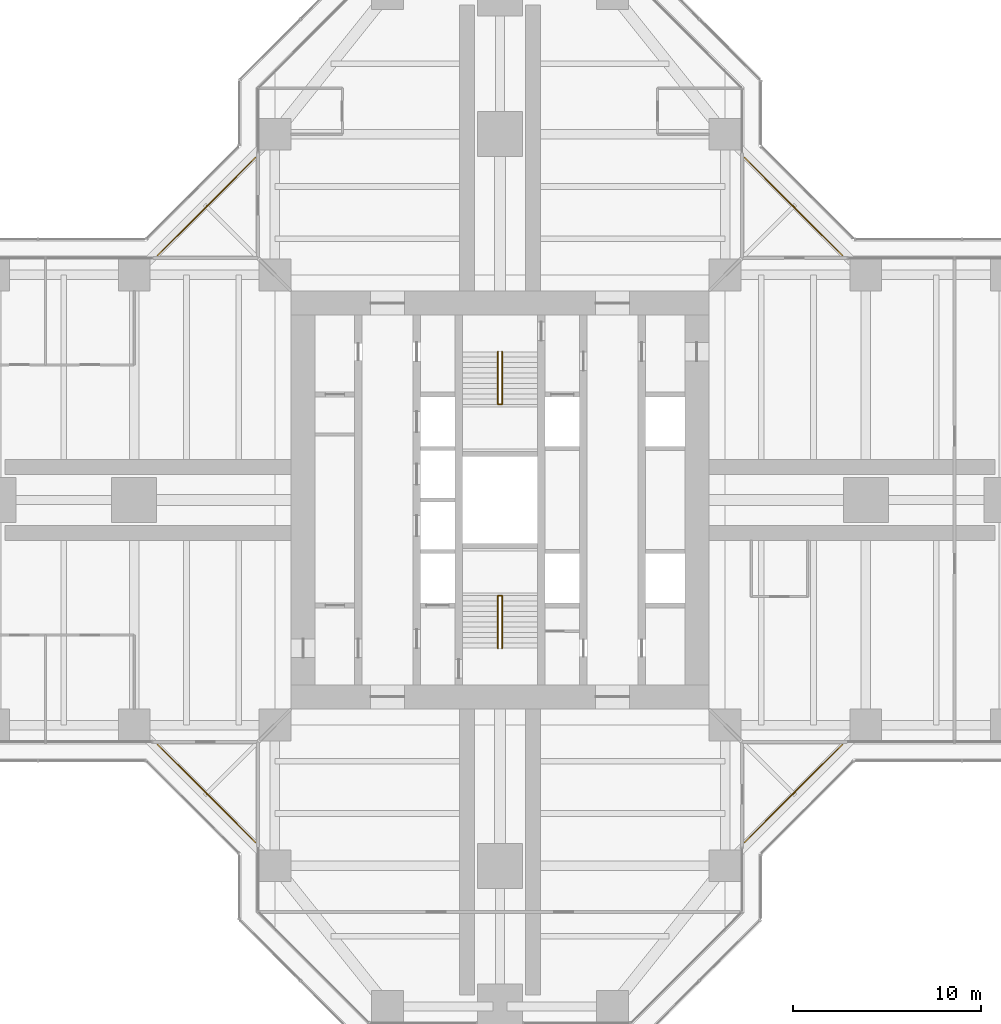
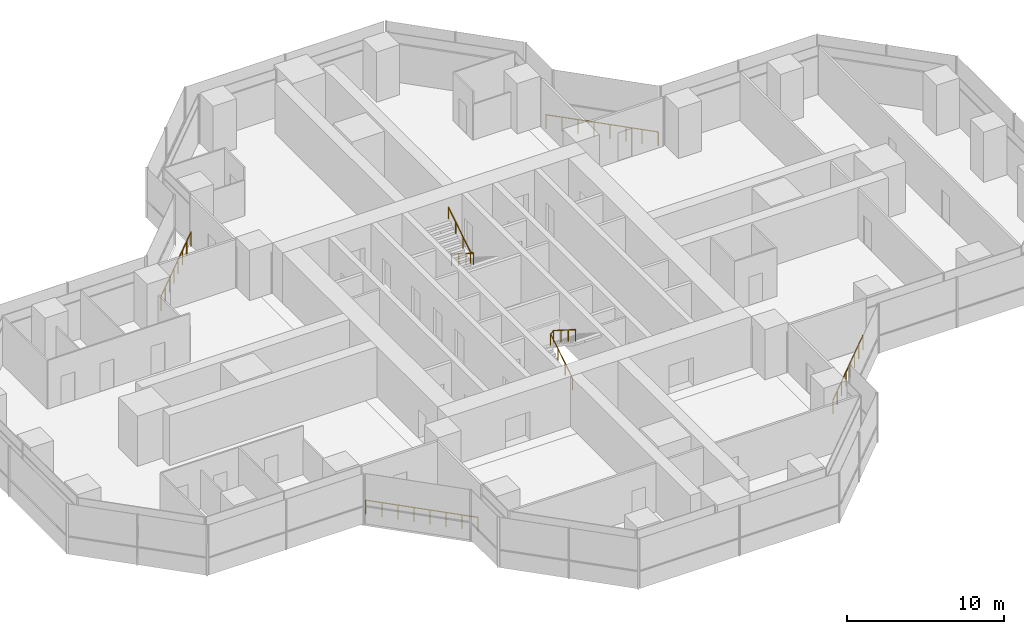
# One storey, part 20 of 20: 6 railings.
"""IFC4 building model written with IfcOpenShell, lengths in metres."""

from ifc_helpers import new_model, si_unit, direction, frame, origin, origin_2d, place, context, subcontext, project, spatial, circle, extrude, material, type_object, element, save


model = new_model("IFC4")

# Units and contexts
model_context = context("Model", 3, precision=1e-05, world=origin(), true_north=direction((0.0, 1.0)))
body_context = subcontext(model_context, "Body", "Model", "MODEL_VIEW")
ifc_project = project(units=[si_unit("LENGTHUNIT", "METRE"), si_unit("AREAUNIT", "SQUARE_METRE"), si_unit("VOLUMEUNIT", "CUBIC_METRE"), si_unit("PLANEANGLEUNIT", "RADIAN"), si_unit("MASSUNIT", "GRAM", prefix="KILO")], contexts=[model_context])

# Site, building, storey
site_placement = place(None, origin())
site = spatial("IfcSite", under=ifc_project, at=site_placement, CompositionType="ELEMENT")
building_placement = place(site_placement, origin())
building = spatial("IfcBuilding", under=site, at=building_placement, Name="Mizan Broadcast Tower", CompositionType="ELEMENT")
storey_placement = place(building_placement, frame((0.0, 0.0, 174.89990234375)))
storey = spatial("IfcBuildingStorey", under=building, at=storey_placement, Name="L40", CompositionType="ELEMENT", Elevation=174.89990234375)

# Railings
ifc_material_1 = material(Name="Stainless steel and glass guard", Category="steel")
railing_type_1 = type_object("IfcRailingType", Name="GUARD 1100", PredefinedType="GUARDRAIL", material=ifc_material_1)
railing_1_placement = place(storey_placement, frame((18.2578125, 13.030029296875, 0.0)))
element("IfcRailing", 1, at=railing_1_placement, inside=storey, type_object=railing_type_1, Name="Winter garden guard L40 E", PredefinedType="GUARDRAIL", context=body_context, shape_type="SweptSolid", body=[
    extrude(circle(Radius=0.02392578125, at=origin_2d()), frame((0.0, 0.0, 1.076171875), z_axis=(-0.707106781187, 0.707106781187, 0.0), x_axis=(-0.707106781187, -0.707106781187, 0.0)), (0.0, 0.0, 1.0), 7.393310546875),
    extrude(circle(Radius=0.02099609375, at=origin_2d()), origin(), (0.0, 0.0, 1.0), 1.052001953125),
    extrude(circle(Radius=0.02099609375, at=origin_2d()), frame((-0.746826171875, 0.746826171875, 0.0)), (0.0, 0.0, 1.0), 1.052001953125),
    extrude(circle(Radius=0.02099609375, at=origin_2d()), frame((-1.49365234375, 1.49365234375, 0.0)), (0.0, 0.0, 1.0), 1.052001953125),
    extrude(circle(Radius=0.02099609375, at=origin_2d()), frame((-2.240478515625, 2.240478515625, 0.0)), (0.0, 0.0, 1.0), 1.052001953125),
    extrude(circle(Radius=0.02099609375, at=origin_2d()), frame((-2.9873046875, 2.9873046875, 0.0)), (0.0, 0.0, 1.0), 1.052001953125),
    extrude(circle(Radius=0.02099609375, at=origin_2d()), frame((-3.734130859375, 3.734130859375, 0.0)), (0.0, 0.0, 1.0), 1.052001953125),
    extrude(circle(Radius=0.02099609375, at=origin_2d()), frame((-4.48095703125, 4.48095703125, 0.0)), (0.0, 0.0, 1.0), 1.052001953125),
    extrude(circle(Radius=0.02099609375, at=origin_2d()), frame((-5.227783203125, 5.227783203125, 0.0)), (0.0, 0.0, 1.0), 1.052001953125),
])
railing_2_placement = place(storey_placement, frame((-13.030029296875, 18.2578125, 0.0)))
element("IfcRailing", 2, at=railing_2_placement, inside=storey, type_object=railing_type_1, Name="Winter garden guard L40 N", PredefinedType="GUARDRAIL", context=body_context, shape_type="SweptSolid", body=[
    extrude(circle(Radius=0.02392578125, at=origin_2d()), frame((0.0, 0.0, 1.076171875), z_axis=(-0.707106781187, -0.707106781187, 0.0), x_axis=(0.707106781187, -0.707106781187, 0.0)), (0.0, 0.0, 1.0), 7.393310546875),
    extrude(circle(Radius=0.02099609375, at=origin_2d()), origin(), (0.0, 0.0, 1.0), 1.052001953125),
    extrude(circle(Radius=0.02099609375, at=origin_2d()), frame((-0.746826171875, -0.746826171875, 0.0)), (0.0, 0.0, 1.0), 1.052001953125),
    extrude(circle(Radius=0.02099609375, at=origin_2d()), frame((-1.49365234375, -1.49365234375, 0.0)), (0.0, 0.0, 1.0), 1.052001953125),
    extrude(circle(Radius=0.02099609375, at=origin_2d()), frame((-2.240478515625, -2.240478515625, 0.0)), (0.0, 0.0, 1.0), 1.052001953125),
    extrude(circle(Radius=0.02099609375, at=origin_2d()), frame((-2.9873046875, -2.9873046875, 0.0)), (0.0, 0.0, 1.0), 1.052001953125),
    extrude(circle(Radius=0.02099609375, at=origin_2d()), frame((-3.734130859375, -3.734130859375, 0.0)), (0.0, 0.0, 1.0), 1.052001953125),
    extrude(circle(Radius=0.02099609375, at=origin_2d()), frame((-4.48095703125, -4.48095703125, 0.0)), (0.0, 0.0, 1.0), 1.052001953125),
    extrude(circle(Radius=0.02099609375, at=origin_2d()), frame((-5.227783203125, -5.227783203125, 0.0)), (0.0, 0.0, 1.0), 1.052001953125),
])
railing_3_placement = place(storey_placement, frame((-18.2578125, -13.030029296875, 0.0)))
element("IfcRailing", 3, at=railing_3_placement, inside=storey, type_object=railing_type_1, Name="Winter garden guard L40 W", PredefinedType="GUARDRAIL", context=body_context, shape_type="SweptSolid", body=[
    extrude(circle(Radius=0.02392578125, at=origin_2d()), frame((0.0, 0.0, 1.076171875), z_axis=(0.707106781187, -0.707106781187, 0.0), x_axis=(0.707106781187, 0.707106781187, 0.0)), (0.0, 0.0, 1.0), 7.393310546875),
    extrude(circle(Radius=0.02099609375, at=origin_2d()), origin(), (0.0, 0.0, 1.0), 1.052001953125),
    extrude(circle(Radius=0.02099609375, at=origin_2d()), frame((0.746826171875, -0.746826171875, 0.0)), (0.0, 0.0, 1.0), 1.052001953125),
    extrude(circle(Radius=0.02099609375, at=origin_2d()), frame((1.49365234375, -1.49365234375, 0.0)), (0.0, 0.0, 1.0), 1.052001953125),
    extrude(circle(Radius=0.02099609375, at=origin_2d()), frame((2.240478515625, -2.240478515625, 0.0)), (0.0, 0.0, 1.0), 1.052001953125),
    extrude(circle(Radius=0.02099609375, at=origin_2d()), frame((2.9873046875, -2.9873046875, 0.0)), (0.0, 0.0, 1.0), 1.052001953125),
    extrude(circle(Radius=0.02099609375, at=origin_2d()), frame((3.734130859375, -3.734130859375, 0.0)), (0.0, 0.0, 1.0), 1.052001953125),
    extrude(circle(Radius=0.02099609375, at=origin_2d()), frame((4.48095703125, -4.48095703125, 0.0)), (0.0, 0.0, 1.0), 1.052001953125),
    extrude(circle(Radius=0.02099609375, at=origin_2d()), frame((5.227783203125, -5.227783203125, 0.0)), (0.0, 0.0, 1.0), 1.052001953125),
])
railing_4_placement = place(storey_placement, frame((13.030029296875, -18.2578125, 0.0)))
element("IfcRailing", 4, at=railing_4_placement, inside=storey, type_object=railing_type_1, Name="Winter garden guard L40 S", PredefinedType="GUARDRAIL", context=body_context, shape_type="SweptSolid", body=[
    extrude(circle(Radius=0.02392578125, at=origin_2d()), frame((0.0, 0.0, 1.076171875), z_axis=(0.707106781187, 0.707106781187, 0.0), x_axis=(-0.707106781187, 0.707106781187, 0.0)), (0.0, 0.0, 1.0), 7.393310546875),
    extrude(circle(Radius=0.02099609375, at=origin_2d()), origin(), (0.0, 0.0, 1.0), 1.052001953125),
    extrude(circle(Radius=0.02099609375, at=origin_2d()), frame((0.746826171875, 0.746826171875, 0.0)), (0.0, 0.0, 1.0), 1.052001953125),
    extrude(circle(Radius=0.02099609375, at=origin_2d()), frame((1.49365234375, 1.49365234375, 0.0)), (0.0, 0.0, 1.0), 1.052001953125),
    extrude(circle(Radius=0.02099609375, at=origin_2d()), frame((2.240478515625, 2.240478515625, 0.0)), (0.0, 0.0, 1.0), 1.052001953125),
    extrude(circle(Radius=0.02099609375, at=origin_2d()), frame((2.9873046875, 2.9873046875, 0.0)), (0.0, 0.0, 1.0), 1.052001953125),
    extrude(circle(Radius=0.02099609375, at=origin_2d()), frame((3.734130859375, 3.734130859375, 0.0)), (0.0, 0.0, 1.0), 1.052001953125),
    extrude(circle(Radius=0.02099609375, at=origin_2d()), frame((4.48095703125, 4.48095703125, 0.0)), (0.0, 0.0, 1.0), 1.052001953125),
    extrude(circle(Radius=0.02099609375, at=origin_2d()), frame((5.227783203125, 5.227783203125, 0.0)), (0.0, 0.0, 1.0), 1.052001953125),
])
ifc_material_2 = material(Name="Stainless steel", Category="steel")
railing_type_2 = type_object("IfcRailingType", Name="HANDRAIL 50", PredefinedType="HANDRAIL", material=ifc_material_2)
railing_5_placement = place(storey_placement, frame((-0.110107421875, -7.89990234375, 0.177490234375)))
element("IfcRailing", 5, at=railing_5_placement, inside=storey, type_object=railing_type_2, Name="Stair A handrail", PredefinedType="HANDRAIL", context=body_context, shape_type="SweptSolid", body=[
    extrude(circle(Radius=0.02392578125, at=origin_2d()), frame((0.0, 0.0, 0.8759765625), z_axis=(0.0, 0.844887892834, 0.53494340686), x_axis=(-1.0, 0.0, 0.0)), (0.0, 0.0, 1.0), 3.313720703125),
    extrude(circle(Radius=0.02392578125, at=origin_2d()), frame((0.0, 2.7998046875, 2.6484375), z_axis=(0.779011685263, 0.0, 0.627009405212), x_axis=(0.0, 1.0, 0.0)), (0.0, 0.0, 1.0), 0.28271484375),
    extrude(circle(Radius=0.02392578125, at=origin_2d()), frame((0.22021484375, 2.7998046875, 2.82568359375), z_axis=(0.0, -0.844887892834, 0.53494340686), x_axis=(1.0, 0.0, 0.0)), (0.0, 0.0, 1.0), 3.313720703125),
    extrude(circle(Radius=0.02099609375, at=origin_2d()), origin(), (0.0, 0.0, 1.0), 0.851806640625),
    extrude(circle(Radius=0.02099609375, at=origin_2d()), frame((0.0, 0.933349609375, 0.5908203125)), (0.0, 0.0, 1.0), 0.851806640625),
    extrude(circle(Radius=0.02099609375, at=origin_2d()), frame((0.0, 1.866455078125, 1.181884765625)), (0.0, 0.0, 1.0), 0.851806640625),
    extrude(circle(Radius=0.02099609375, at=origin_2d()), frame((0.0, 2.7998046875, 1.772705078125)), (0.0, 0.0, 1.0), 0.851806640625),
    extrude(circle(Radius=0.02099609375, at=origin_2d()), frame((0.22021484375, 2.7998046875, 1.949951171875)), (0.0, 0.0, 1.0), 0.851806640625),
    extrude(circle(Radius=0.02099609375, at=origin_2d()), frame((0.22021484375, 1.866455078125, 2.540771484375)), (0.0, 0.0, 1.0), 0.851806640625),
    extrude(circle(Radius=0.02099609375, at=origin_2d()), frame((0.22021484375, 0.933349609375, 3.1318359375)), (0.0, 0.0, 1.0), 0.851806640625),
    extrude(circle(Radius=0.02099609375, at=origin_2d()), frame((0.22021484375, 0.0, 3.72265625)), (0.0, 0.0, 1.0), 0.851806640625),
])
railing_6_placement = place(storey_placement, frame((0.110107421875, 7.89990234375, 0.177490234375)))
element("IfcRailing", 6, at=railing_6_placement, inside=storey, type_object=railing_type_2, Name="Stair B handrail", PredefinedType="HANDRAIL", context=body_context, shape_type="SweptSolid", body=[
    extrude(circle(Radius=0.02392578125, at=origin_2d()), frame((0.0, 0.0, 0.8759765625), z_axis=(0.0, -0.844887892834, 0.53494340686), x_axis=(1.0, 0.0, 0.0)), (0.0, 0.0, 1.0), 3.313720703125),
    extrude(circle(Radius=0.02392578125, at=origin_2d()), frame((0.0, -2.7998046875, 2.6484375), z_axis=(-0.779011685263, 0.0, 0.627009405212), x_axis=(0.0, -1.0, 0.0)), (0.0, 0.0, 1.0), 0.28271484375),
    extrude(circle(Radius=0.02392578125, at=origin_2d()), frame((-0.22021484375, -2.7998046875, 2.82568359375), z_axis=(0.0, 0.844887892834, 0.53494340686), x_axis=(-1.0, 0.0, 0.0)), (0.0, 0.0, 1.0), 3.313720703125),
    extrude(circle(Radius=0.02099609375, at=origin_2d()), origin(), (0.0, 0.0, 1.0), 0.851806640625),
    extrude(circle(Radius=0.02099609375, at=origin_2d()), frame((0.0, -0.933349609375, 0.5908203125)), (0.0, 0.0, 1.0), 0.851806640625),
    extrude(circle(Radius=0.02099609375, at=origin_2d()), frame((0.0, -1.866455078125, 1.181884765625)), (0.0, 0.0, 1.0), 0.851806640625),
    extrude(circle(Radius=0.02099609375, at=origin_2d()), frame((0.0, -2.7998046875, 1.772705078125)), (0.0, 0.0, 1.0), 0.851806640625),
    extrude(circle(Radius=0.02099609375, at=origin_2d()), frame((-0.22021484375, -2.7998046875, 1.949951171875)), (0.0, 0.0, 1.0), 0.851806640625),
    extrude(circle(Radius=0.02099609375, at=origin_2d()), frame((-0.22021484375, -1.866455078125, 2.540771484375)), (0.0, 0.0, 1.0), 0.851806640625),
    extrude(circle(Radius=0.02099609375, at=origin_2d()), frame((-0.22021484375, -0.933349609375, 3.1318359375)), (0.0, 0.0, 1.0), 0.851806640625),
    extrude(circle(Radius=0.02099609375, at=origin_2d()), frame((-0.22021484375, 0.0, 3.72265625)), (0.0, 0.0, 1.0), 0.851806640625),
])

save(model, "model.ifc")
